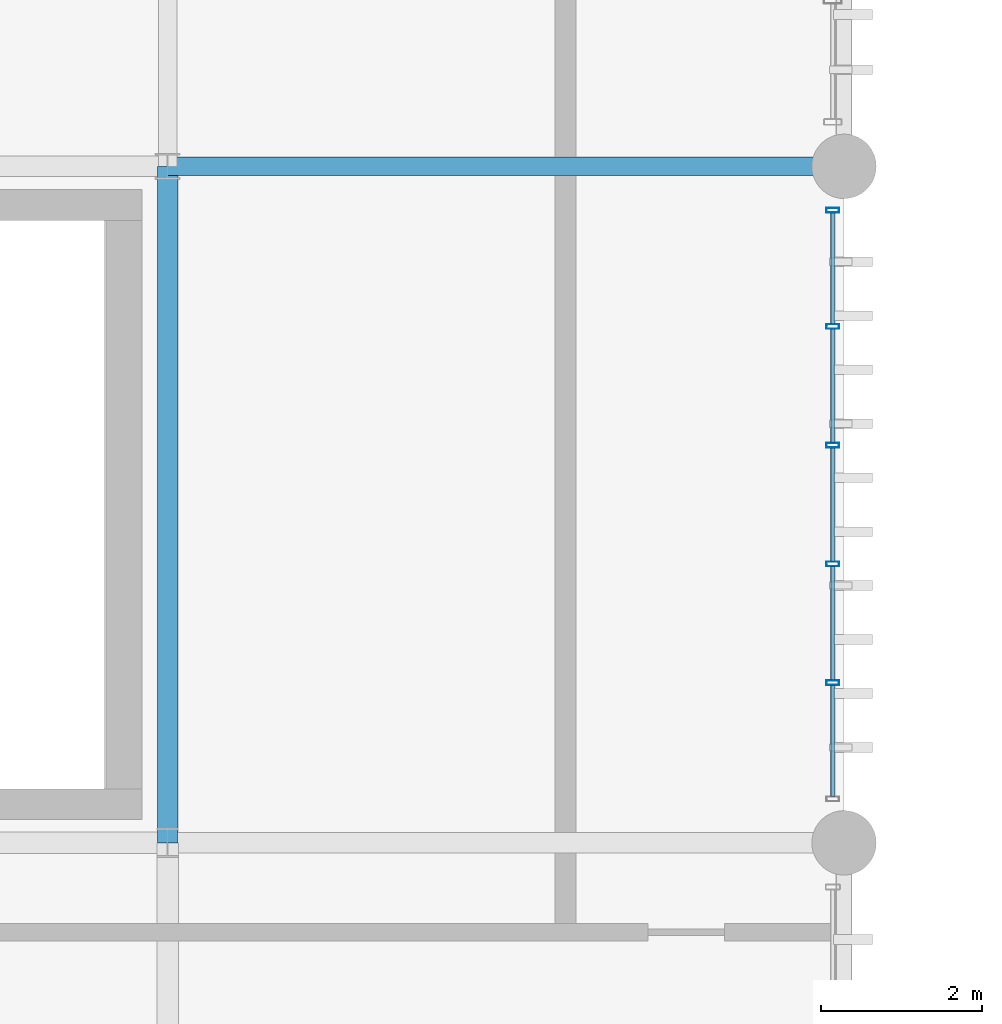
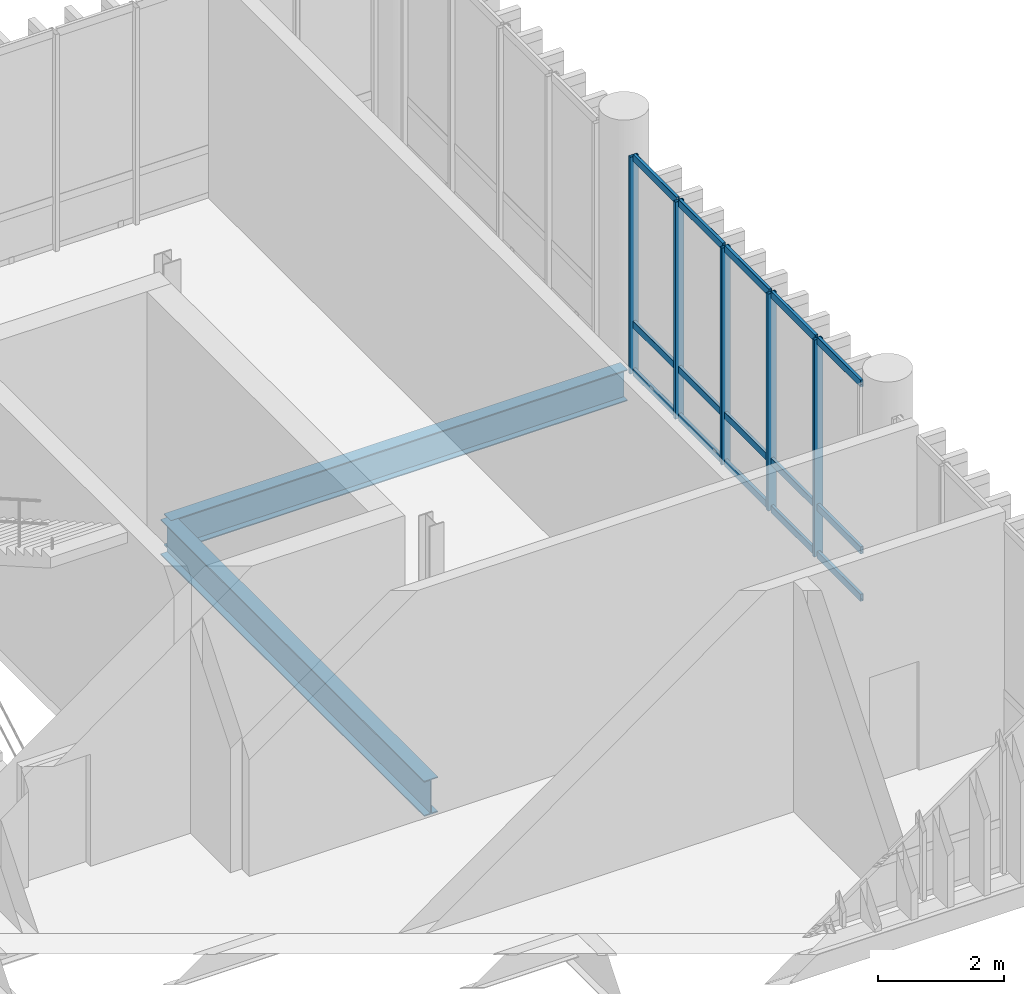
# One storey, part 41 of 94: 20 members, 2 beams, 1 element without a shape of its own.
"""IFC4 building model written with IfcOpenShell, lengths in metres."""

from ifc_helpers import new_model, si_unit, direction, frame, origin_with_axes, origin_2d_with_axis, place, context, subcontext, project, spatial, hollow_rectangle, i_section, extrude, material, material_profile, profile_set, type_object, element, aggregate, save


model = new_model("IFC4")

# Units and contexts
model_context = context("Model", 3, precision=1e-05, world=origin_with_axes(), true_north=direction((0.0, 1.0)))
body_context = subcontext(model_context, "Body", "Model", "MODEL_VIEW")
ifc_project = project(units=[si_unit("LENGTHUNIT", "METRE"), si_unit("AREAUNIT", "SQUARE_METRE"), si_unit("VOLUMEUNIT", "CUBIC_METRE"), si_unit("PLANEANGLEUNIT", "RADIAN"), si_unit("MASSUNIT", "GRAM", prefix="KILO"), si_unit("THERMODYNAMICTEMPERATUREUNIT", "KELVIN")], contexts=[model_context])

# Site, building, storey
site_placement = place(None, origin_with_axes())
site = spatial("IfcSite", under=ifc_project, at=site_placement, CompositionType="ELEMENT")
building_placement = place(site_placement, origin_with_axes())
building = spatial("IfcBuilding", under=site, at=building_placement, Name="Montbau Bow Law Courts", CompositionType="ELEMENT")
storey_placement = place(building_placement, frame((0.0, 0.0, 15.6), z_axis=(0.0, 0.0, 1.0), x_axis=(1.0, 0.0, 0.0)))
storey = spatial("IfcBuildingStorey", under=building, at=storey_placement, Name="L03", CompositionType="ELEMENT", Elevation=15.6)

# Beams
ifc_material_1 = material(Name="Steel CSA G40.21 Grade 350W (350 MPa)", Category="steel")
ifc_material_profile_1 = material_profile(ifc_material_1, i_section(OverallWidth=0.254, OverallDepth=0.688, WebThickness=0.0131, FlangeThickness=0.0211, at=origin_2d_with_axis()), Name="W690X152", Category="Main", Priority=0)
ifc_profile_set_1 = profile_set([ifc_material_profile_1], Name="Steel CSA G40.21 Grade 350W (350 MPa)")
beam_type_1 = type_object("IfcBeamType", Name="B-FLR-04", PredefinedType="BEAM", material=ifc_profile_set_1)
beam_1_placement = place(None, frame((88.8, 46.2, 14.996), z_axis=(0.0, 1.0, 0.0), x_axis=(-1.0, 0.0, 0.0)))
element("IfcBeam", 1, at=beam_1_placement, inside=storey, type_object=beam_type_1, Name="BM-L03-S0911:bm2_0914", PredefinedType="BEAM", context=body_context, shape_type="SweptSolid", body=[
    extrude(i_section(OverallWidth=0.254, OverallDepth=0.688, WebThickness=0.0131, FlangeThickness=0.0211, at=origin_2d_with_axis()), origin_with_axes(), (0.0, 0.0, 1.0), 8.4),
])
ifc_material_profile_2 = material_profile(ifc_material_1, i_section(OverallWidth=0.229, OverallDepth=0.612, WebThickness=0.0119, FlangeThickness=0.0196, at=origin_2d_with_axis()), Name="W610X125", Category="Main", Priority=0)
ifc_profile_set_2 = profile_set([ifc_material_profile_2], Name="Steel CSA G40.21 Grade 350W (350 MPa)")
beam_type_2 = type_object("IfcBeamType", Name="B-FLR-05", PredefinedType="BEAM", material=ifc_profile_set_2)
beam_2_placement = place(None, frame((88.8, 54.6, 15.034), z_axis=(1.0, 0.0, 0.0), x_axis=(0.0, 1.0, 0.0)))
element("IfcBeam", 2, at=beam_2_placement, inside=storey, type_object=beam_type_2, Name="BM-L03-S0891:bm2_0894", PredefinedType="BEAM", context=body_context, shape_type="SweptSolid", body=[
    extrude(i_section(OverallWidth=0.229, OverallDepth=0.612, WebThickness=0.0119, FlangeThickness=0.0196, at=origin_2d_with_axis()), origin_with_axes(), (0.0, 0.0, 1.0), 8.4),
])

# Curtain wall, members
ifc_material_2 = material(Name="Thermally Broken Extruded Aluminium AA 6063-T6", Category="aluminium")
curtain_wall_type = type_object("IfcCurtainWallType", Name="CW-CRM-01", PredefinedType="NOTDEFINED", material=ifc_material_2)
curtain_wall_placement = place(None, frame((97.06, 46.715, 15.6), z_axis=(0.0, 0.0, 1.0), x_axis=(1.0, 0.0, 0.0)))
curtain_wall = element("IfcCurtainWall", 3, at=curtain_wall_placement, inside=storey, type_object=curtain_wall_type, Name="CW-L03-191:cw_0191", PredefinedType="NOTDEFINED")
ifc_material_profile_3 = material_profile(ifc_material_2, hollow_rectangle(XDim=0.06, YDim=0.16, WallThickness=0.004, InnerFilletRadius=0.008, OuterFilletRadius=0.004, at=origin_2d_with_axis()), Name="CWM-160X60", Category="Main", Priority=0)
ifc_profile_set_3 = profile_set([ifc_material_profile_3], Name="Thermally Broken Extruded Aluminium AA 6063-T6")
member_type_1 = type_object("IfcMemberType", Name="M-MUL-03", PredefinedType="MULLION", material=ifc_profile_set_3)
member_1_placement = place(None, frame((97.06, 48.189, 15.6), z_axis=(0.0, 0.0, 1.0), x_axis=(0.0, 1.0, 0.0)))
member_1 = element("IfcMember", 4, at=member_1_placement, type_object=member_type_1, Name="CW-L03-191-M02:cw_0191_M02", PredefinedType="MULLION", context=body_context, shape_type="SweptSolid", body=[
    extrude(hollow_rectangle(XDim=0.06, YDim=0.16, WallThickness=0.004, InnerFilletRadius=0.008, OuterFilletRadius=0.004, at=origin_2d_with_axis()), origin_with_axes(), (0.0, 0.0, 1.0), 4.22),
])
member_2_placement = place(None, frame((97.06, 49.663, 15.6), z_axis=(0.0, 0.0, 1.0), x_axis=(0.0, 1.0, 0.0)))
member_2 = element("IfcMember", 5, at=member_2_placement, type_object=member_type_1, Name="CW-L03-191-M03:cw_0191_M03", PredefinedType="MULLION", context=body_context, shape_type="SweptSolid", body=[
    extrude(hollow_rectangle(XDim=0.06, YDim=0.16, WallThickness=0.004, InnerFilletRadius=0.008, OuterFilletRadius=0.004, at=origin_2d_with_axis()), origin_with_axes(), (0.0, 0.0, 1.0), 4.22),
])
member_3_placement = place(None, frame((97.06, 51.137, 15.6), z_axis=(0.0, 0.0, 1.0), x_axis=(0.0, 1.0, 0.0)))
member_3 = element("IfcMember", 6, at=member_3_placement, type_object=member_type_1, Name="CW-L03-191-M04:cw_0191_M04", PredefinedType="MULLION", context=body_context, shape_type="SweptSolid", body=[
    extrude(hollow_rectangle(XDim=0.06, YDim=0.16, WallThickness=0.004, InnerFilletRadius=0.008, OuterFilletRadius=0.004, at=origin_2d_with_axis()), origin_with_axes(), (0.0, 0.0, 1.0), 4.22),
])
member_4_placement = place(None, frame((97.06, 52.611, 15.6), z_axis=(0.0, 0.0, 1.0), x_axis=(0.0, 1.0, 0.0)))
member_4 = element("IfcMember", 7, at=member_4_placement, type_object=member_type_1, Name="CW-L03-191-M05:cw_0191_M05", PredefinedType="MULLION", context=body_context, shape_type="SweptSolid", body=[
    extrude(hollow_rectangle(XDim=0.06, YDim=0.16, WallThickness=0.004, InnerFilletRadius=0.008, OuterFilletRadius=0.004, at=origin_2d_with_axis()), origin_with_axes(), (0.0, 0.0, 1.0), 4.22),
])
member_5_placement = place(None, frame((97.06, 54.055, 15.6), z_axis=(0.0, 0.0, 1.0), x_axis=(0.0, 1.0, 0.0)))
member_5 = element("IfcMember", 8, at=member_5_placement, type_object=member_type_1, Name="CW-L03-191-M06:cw_0191_M06", PredefinedType="MULLION", context=body_context, shape_type="SweptSolid", body=[
    extrude(hollow_rectangle(XDim=0.06, YDim=0.16, WallThickness=0.004, InnerFilletRadius=0.008, OuterFilletRadius=0.004, at=origin_2d_with_axis()), origin_with_axes(), (0.0, 0.0, 1.0), 4.22),
])
ifc_material_profile_4 = material_profile(ifc_material_2, hollow_rectangle(XDim=0.055, YDim=0.14, WallThickness=0.004, InnerFilletRadius=0.008, OuterFilletRadius=0.004, at=origin_2d_with_axis()), Name="CWT-140X55", Category="Main", Priority=0)
ifc_profile_set_4 = profile_set([ifc_material_profile_4], Name="Thermally Broken Extruded Aluminium AA 6063-T6")
member_type_2 = type_object("IfcMemberType", Name="M-TRN-02", PredefinedType="USERDEFINED", material=ifc_profile_set_4)
member_6_placement = place(None, frame((97.06, 46.777, 15.627), z_axis=(0.0, 1.0, 0.0), x_axis=(-1.0, 0.0, 0.0)))
member_6 = element("IfcMember", 9, at=member_6_placement, type_object=member_type_2, Name="CW-L03-191-T01-1:cw_0191_T01_1", ObjectType="TRANSOM", PredefinedType="USERDEFINED", context=body_context, shape_type="SweptSolid", body=[
    extrude(hollow_rectangle(XDim=0.055, YDim=0.14, WallThickness=0.004, InnerFilletRadius=0.008, OuterFilletRadius=0.004, at=origin_2d_with_axis()), origin_with_axes(), (0.0, 0.0, 1.0), 1.38),
])
member_7_placement = place(None, frame((97.06, 46.777, 16.55), z_axis=(0.0, 1.0, 0.0), x_axis=(-1.0, 0.0, 0.0)))
member_7 = element("IfcMember", 10, at=member_7_placement, type_object=member_type_2, Name="CW-L03-191-T01-2:cw_0191_T01_2", ObjectType="TRANSOM", PredefinedType="USERDEFINED", context=body_context, shape_type="SweptSolid", body=[
    extrude(hollow_rectangle(XDim=0.055, YDim=0.14, WallThickness=0.004, InnerFilletRadius=0.008, OuterFilletRadius=0.004, at=origin_2d_with_axis()), origin_with_axes(), (0.0, 0.0, 1.0), 1.38),
])
member_8_placement = place(None, frame((97.06, 46.777, 19.793), z_axis=(0.0, 1.0, 0.0), x_axis=(-1.0, 0.0, 0.0)))
member_8 = element("IfcMember", 11, at=member_8_placement, type_object=member_type_2, Name="CW-L03-191-T01-3:cw_0191_T01_3", ObjectType="TRANSOM", PredefinedType="USERDEFINED", context=body_context, shape_type="SweptSolid", body=[
    extrude(hollow_rectangle(XDim=0.055, YDim=0.14, WallThickness=0.004, InnerFilletRadius=0.008, OuterFilletRadius=0.004, at=origin_2d_with_axis()), origin_with_axes(), (0.0, 0.0, 1.0), 1.38),
])
member_9_placement = place(None, frame((97.06, 48.221, 15.627), z_axis=(0.0, 1.0, 0.0), x_axis=(-1.0, 0.0, 0.0)))
member_9 = element("IfcMember", 12, at=member_9_placement, type_object=member_type_2, Name="CW-L03-191-T02-1:cw_0191_T02_1", ObjectType="TRANSOM", PredefinedType="USERDEFINED", context=body_context, shape_type="SweptSolid", body=[
    extrude(hollow_rectangle(XDim=0.055, YDim=0.14, WallThickness=0.004, InnerFilletRadius=0.008, OuterFilletRadius=0.004, at=origin_2d_with_axis()), origin_with_axes(), (0.0, 0.0, 1.0), 1.41),
])
member_10_placement = place(None, frame((97.06, 48.221, 16.55), z_axis=(0.0, 1.0, 0.0), x_axis=(-1.0, 0.0, 0.0)))
member_10 = element("IfcMember", 13, at=member_10_placement, type_object=member_type_2, Name="CW-L03-191-T02-2:cw_0191_T02_2", ObjectType="TRANSOM", PredefinedType="USERDEFINED", context=body_context, shape_type="SweptSolid", body=[
    extrude(hollow_rectangle(XDim=0.055, YDim=0.14, WallThickness=0.004, InnerFilletRadius=0.008, OuterFilletRadius=0.004, at=origin_2d_with_axis()), origin_with_axes(), (0.0, 0.0, 1.0), 1.41),
])
member_11_placement = place(None, frame((97.06, 48.221, 19.793), z_axis=(0.0, 1.0, 0.0), x_axis=(-1.0, 0.0, 0.0)))
member_11 = element("IfcMember", 14, at=member_11_placement, type_object=member_type_2, Name="CW-L03-191-T02-3:cw_0191_T02_3", ObjectType="TRANSOM", PredefinedType="USERDEFINED", context=body_context, shape_type="SweptSolid", body=[
    extrude(hollow_rectangle(XDim=0.055, YDim=0.14, WallThickness=0.004, InnerFilletRadius=0.008, OuterFilletRadius=0.004, at=origin_2d_with_axis()), origin_with_axes(), (0.0, 0.0, 1.0), 1.41),
])
member_12_placement = place(None, frame((97.06, 49.695, 15.627), z_axis=(0.0, 1.0, 0.0), x_axis=(-1.0, 0.0, 0.0)))
member_12 = element("IfcMember", 15, at=member_12_placement, type_object=member_type_2, Name="CW-L03-191-T03-1:cw_0191_T03_1", ObjectType="TRANSOM", PredefinedType="USERDEFINED", context=body_context, shape_type="SweptSolid", body=[
    extrude(hollow_rectangle(XDim=0.055, YDim=0.14, WallThickness=0.004, InnerFilletRadius=0.008, OuterFilletRadius=0.004, at=origin_2d_with_axis()), origin_with_axes(), (0.0, 0.0, 1.0), 1.41),
])
member_13_placement = place(None, frame((97.06, 49.695, 16.55), z_axis=(0.0, 1.0, 0.0), x_axis=(-1.0, 0.0, 0.0)))
member_13 = element("IfcMember", 16, at=member_13_placement, type_object=member_type_2, Name="CW-L03-191-T03-2:cw_0191_T03_2", ObjectType="TRANSOM", PredefinedType="USERDEFINED", context=body_context, shape_type="SweptSolid", body=[
    extrude(hollow_rectangle(XDim=0.055, YDim=0.14, WallThickness=0.004, InnerFilletRadius=0.008, OuterFilletRadius=0.004, at=origin_2d_with_axis()), origin_with_axes(), (0.0, 0.0, 1.0), 1.41),
])
member_14_placement = place(None, frame((97.06, 49.695, 19.793), z_axis=(0.0, 1.0, 0.0), x_axis=(-1.0, 0.0, 0.0)))
member_14 = element("IfcMember", 17, at=member_14_placement, type_object=member_type_2, Name="CW-L03-191-T03-3:cw_0191_T03_3", ObjectType="TRANSOM", PredefinedType="USERDEFINED", context=body_context, shape_type="SweptSolid", body=[
    extrude(hollow_rectangle(XDim=0.055, YDim=0.14, WallThickness=0.004, InnerFilletRadius=0.008, OuterFilletRadius=0.004, at=origin_2d_with_axis()), origin_with_axes(), (0.0, 0.0, 1.0), 1.41),
])
member_15_placement = place(None, frame((97.06, 51.169, 15.627), z_axis=(0.0, 1.0, 0.0), x_axis=(-1.0, 0.0, 0.0)))
member_15 = element("IfcMember", 18, at=member_15_placement, type_object=member_type_2, Name="CW-L03-191-T04-1:cw_0191_T04_1", ObjectType="TRANSOM", PredefinedType="USERDEFINED", context=body_context, shape_type="SweptSolid", body=[
    extrude(hollow_rectangle(XDim=0.055, YDim=0.14, WallThickness=0.004, InnerFilletRadius=0.008, OuterFilletRadius=0.004, at=origin_2d_with_axis()), origin_with_axes(), (0.0, 0.0, 1.0), 1.41),
])
member_16_placement = place(None, frame((97.06, 51.169, 16.55), z_axis=(0.0, 1.0, 0.0), x_axis=(-1.0, 0.0, 0.0)))
member_16 = element("IfcMember", 19, at=member_16_placement, type_object=member_type_2, Name="CW-L03-191-T04-2:cw_0191_T04_2", ObjectType="TRANSOM", PredefinedType="USERDEFINED", context=body_context, shape_type="SweptSolid", body=[
    extrude(hollow_rectangle(XDim=0.055, YDim=0.14, WallThickness=0.004, InnerFilletRadius=0.008, OuterFilletRadius=0.004, at=origin_2d_with_axis()), origin_with_axes(), (0.0, 0.0, 1.0), 1.41),
])
member_17_placement = place(None, frame((97.06, 51.169, 19.793), z_axis=(0.0, 1.0, 0.0), x_axis=(-1.0, 0.0, 0.0)))
member_17 = element("IfcMember", 20, at=member_17_placement, type_object=member_type_2, Name="CW-L03-191-T04-3:cw_0191_T04_3", ObjectType="TRANSOM", PredefinedType="USERDEFINED", context=body_context, shape_type="SweptSolid", body=[
    extrude(hollow_rectangle(XDim=0.055, YDim=0.14, WallThickness=0.004, InnerFilletRadius=0.008, OuterFilletRadius=0.004, at=origin_2d_with_axis()), origin_with_axes(), (0.0, 0.0, 1.0), 1.41),
])
member_18_placement = place(None, frame((97.06, 52.643, 15.627), z_axis=(0.0, 1.0, 0.0), x_axis=(-1.0, 0.0, 0.0)))
member_18 = element("IfcMember", 21, at=member_18_placement, type_object=member_type_2, Name="CW-L03-191-T05-1:cw_0191_T05_1", ObjectType="TRANSOM", PredefinedType="USERDEFINED", context=body_context, shape_type="SweptSolid", body=[
    extrude(hollow_rectangle(XDim=0.055, YDim=0.14, WallThickness=0.004, InnerFilletRadius=0.008, OuterFilletRadius=0.004, at=origin_2d_with_axis()), origin_with_axes(), (0.0, 0.0, 1.0), 1.38),
])
member_19_placement = place(None, frame((97.06, 52.643, 16.55), z_axis=(0.0, 1.0, 0.0), x_axis=(-1.0, 0.0, 0.0)))
member_19 = element("IfcMember", 22, at=member_19_placement, type_object=member_type_2, Name="CW-L03-191-T05-2:cw_0191_T05_2", ObjectType="TRANSOM", PredefinedType="USERDEFINED", context=body_context, shape_type="SweptSolid", body=[
    extrude(hollow_rectangle(XDim=0.055, YDim=0.14, WallThickness=0.004, InnerFilletRadius=0.008, OuterFilletRadius=0.004, at=origin_2d_with_axis()), origin_with_axes(), (0.0, 0.0, 1.0), 1.38),
])
member_20_placement = place(None, frame((97.06, 52.643, 19.793), z_axis=(0.0, 1.0, 0.0), x_axis=(-1.0, 0.0, 0.0)))
member_20 = element("IfcMember", 23, at=member_20_placement, type_object=member_type_2, Name="CW-L03-191-T05-3:cw_0191_T05_3", ObjectType="TRANSOM", PredefinedType="USERDEFINED", context=body_context, shape_type="SweptSolid", body=[
    extrude(hollow_rectangle(XDim=0.055, YDim=0.14, WallThickness=0.004, InnerFilletRadius=0.008, OuterFilletRadius=0.004, at=origin_2d_with_axis()), origin_with_axes(), (0.0, 0.0, 1.0), 1.38),
])
aggregate(curtain_wall, [member_1, member_2, member_3, member_4, member_5, member_6, member_7, member_8, member_9, member_10, member_11, member_12, member_13, member_14, member_15, member_16, member_17, member_18, member_19, member_20])

save(model, "model.ifc")
